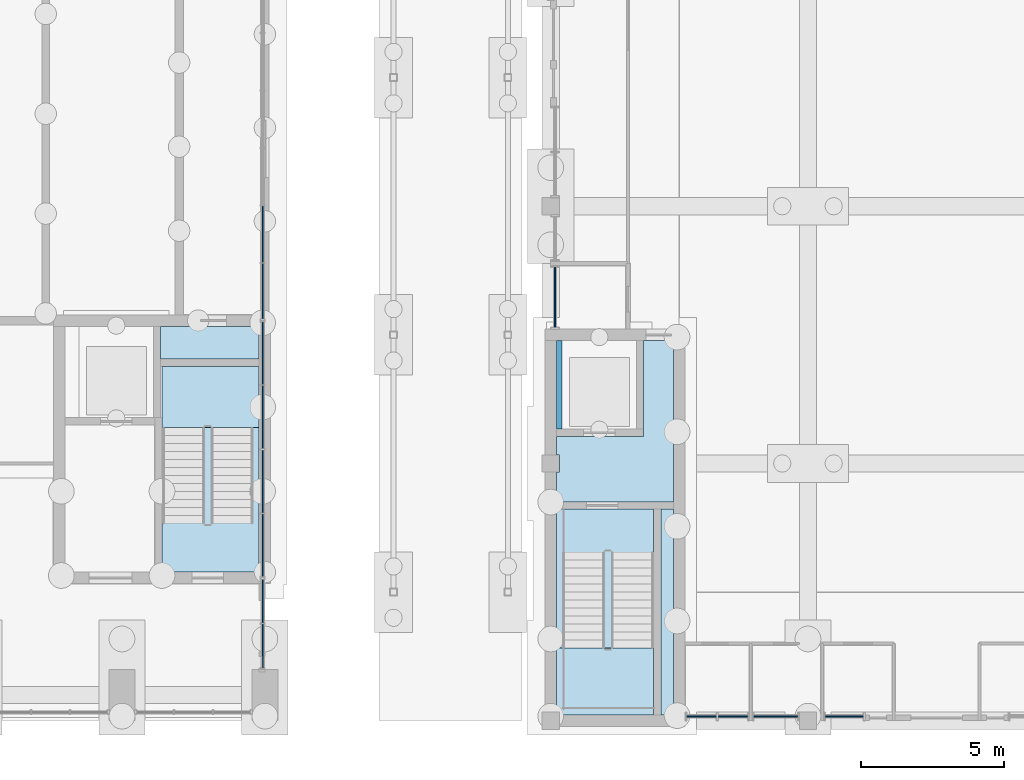
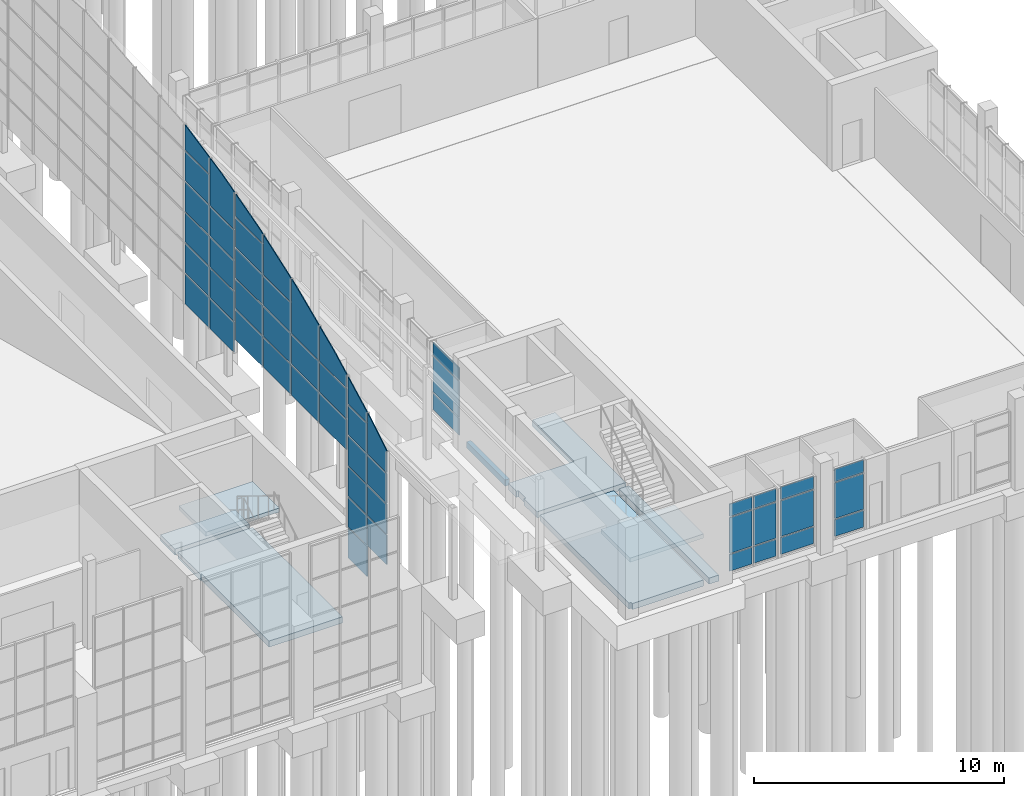
# One storey, part 53 of 106: 51 plates, 8 slabs, 9 elements without a shape of their own.
"""IFC4 building model written with IfcOpenShell, lengths in metres."""

from ifc_helpers import new_model, si_unit, direction, frame, origin, origin_2d, place, context, subcontext, project, spatial, polyline, rectangle, outline, extrude, material, layer, layer_set, type_object, element, aggregate, save


model = new_model("IFC4")

# Units and contexts
model_context = context("Model", 3, precision=1e-05, world=origin(), true_north=direction((0.0, 1.0)))
body_context = subcontext(model_context, "Body", "Model", "MODEL_VIEW")
ifc_project = project(units=[si_unit("LENGTHUNIT", "METRE"), si_unit("AREAUNIT", "SQUARE_METRE"), si_unit("VOLUMEUNIT", "CUBIC_METRE"), si_unit("PLANEANGLEUNIT", "RADIAN"), si_unit("MASSUNIT", "GRAM", prefix="KILO")], contexts=[model_context])

# Site, building, storey
site_placement = place(None, origin())
site = spatial("IfcSite", under=ifc_project, at=site_placement, CompositionType="ELEMENT")
building_placement = place(site_placement, origin())
building = spatial("IfcBuilding", under=site, at=building_placement, Name="Merrow Basin Faculty of Sciences", CompositionType="ELEMENT")
storey_placement = place(building_placement, origin())
storey = spatial("IfcBuildingStorey", under=building, at=storey_placement, Name="L00", CompositionType="ELEMENT", Elevation=0.0)

# Slabs
ifc_material_1 = material(Name="Concrete C40/50", Category="concrete")
ifc_layer_1 = layer(ifc_material_1, 0.300048828125)
ifc_layer_set_1 = layer_set([ifc_layer_1], Name="Ground slab 300 Concrete C40/50")
slab_type_1 = type_object("IfcSlabType", Name="Ground slab 300 Concrete C40/50", PredefinedType="BASESLAB", material=ifc_layer_set_1)
slab_1_placement = place(storey_placement, frame((0.0, 0.0, -0.300048828125)))
element("IfcSlab", 1, at=slab_1_placement, inside=storey, type_object=slab_type_1, Name="SL3 ground L00 005", PredefinedType="BASESLAB", context=body_context, shape_type="SweptSolid", body=[
    extrude(outline(polyline([(34.800048828125, 12.39990234375), (34.800048828125, 5.199951171875), (31.39990234375, 5.199951171875), (31.39990234375, 10.60009765625), (31.35009765625, 10.60009765625), (31.35009765625, 12.39990234375), (34.800048828125, 12.39990234375)])), origin(), (0.0, 0.0, 1.0), 0.300048828125),
])
slab_2_placement = place(storey_placement, frame((0.0, 0.0, -0.300048828125)))
element("IfcSlab", 2, at=slab_2_placement, inside=storey, type_object=slab_type_1, Name="SL3 ground L00 009", PredefinedType="BASESLAB", context=body_context, shape_type="SweptSolid", body=[
    extrude(outline(polyline([(34.800048828125, 13.800048828125), (34.800048828125, 12.64990234375), (31.35009765625, 12.64990234375), (31.35009765625, 13.800048828125), (34.800048828125, 13.800048828125)])), origin(), (0.0, 0.0, 1.0), 0.300048828125),
])
slab_3_placement = place(storey_placement, frame((0.0, 0.0, -0.300048828125)))
element("IfcSlab", 3, at=slab_3_placement, inside=storey, type_object=slab_type_1, Name="SL3 ground L00 003", PredefinedType="BASESLAB", context=body_context, shape_type="SweptSolid", body=[
    extrude(outline(polyline([(45.199951171875, 7.39990234375), (48.60009765625, 7.39990234375), (48.60009765625, 0.199951171875), (45.300048828125, 0.199951171875), (45.300048828125, 0.300048828125), (45.199951171875, 0.300048828125), (45.199951171875, 7.39990234375)])), origin(), (0.0, 0.0, 1.0), 0.300048828125),
])
slab_4_placement = place(storey_placement, frame((0.0, 0.0, -0.300048828125)))
element("IfcSlab", 4, at=slab_4_placement, inside=storey, type_object=slab_type_1, Name="SL3 ground L00 005", PredefinedType="BASESLAB", context=body_context, shape_type="SweptSolid", body=[
    extrude(outline(polyline([(48.25, 13.300048828125), (49.300048828125, 13.300048828125), (49.300048828125, 7.64990234375), (45.199951171875, 7.64990234375), (45.199951171875, 8.699951171875), (45.300048828125, 8.699951171875), (45.300048828125, 9.300048828125), (45.199951171875, 9.300048828125), (45.199951171875, 9.949951171875), (48.25, 9.949951171875), (48.25, 10.199951171875), (48.25, 13.300048828125)])), origin(), (0.0, 0.0, 1.0), 0.300048828125),
])
slab_5_placement = place(storey_placement, frame((0.0, 0.0, -0.300048828125)))
element("IfcSlab", 5, at=slab_5_placement, inside=storey, type_object=slab_type_1, Name="SL3 ground L00 006", PredefinedType="BASESLAB", context=body_context, shape_type="SweptSolid", body=[
    extrude(outline(polyline([(48.85009765625, 7.39990234375), (49.300048828125, 7.39990234375), (49.300048828125, 0.199951171875), (48.85009765625, 0.199951171875), (48.85009765625, 7.39990234375)])), origin(), (0.0, 0.0, 1.0), 0.300048828125),
])
slab_6_placement = place(storey_placement, frame((0.0, 0.0, -0.300048828125)))
element("IfcSlab", 6, at=slab_6_placement, inside=storey, type_object=slab_type_1, Name="SL3 ground L00 009", PredefinedType="BASESLAB", context=body_context, shape_type="SweptSolid", body=[
    extrude(outline(polyline([(45.199951171875, 10.199951171875), (45.199951171875, 13.300048828125), (45.39990234375, 13.300048828125), (45.39990234375, 10.199951171875), (45.199951171875, 10.199951171875)])), origin(), (0.0, 0.0, 1.0), 0.300048828125),
])

# Curtain wall, plate
ifc_material_2 = material(Name="Aluminium alloy 6063", Category="aluminium")
curtain_wall_type_1 = type_object("IfcCurtainWallType", Name="Atrium concourse curtain wall 300", PredefinedType="NOTDEFINED", material=ifc_material_2)
curtain_wall_1_placement = place(storey_placement, origin())
curtain_wall_1 = element("IfcCurtainWall", 7, at=curtain_wall_1_placement, inside=storey, type_object=curtain_wall_type_1, Name="W curtain wall L00 1", PredefinedType="NOTDEFINED")
ifc_material_3 = material(Name="Insulated aluminium spandrel panel", Category="aluminium")
ifc_layer_2 = layer(ifc_material_3, 0.052001953125)
ifc_layer_set_2 = layer_set([ifc_layer_2], Name="Insulated spandrel panel 52")
plate_type_1 = type_object("IfcPlateType", Name="Insulated spandrel panel 52", PredefinedType="CURTAIN_PANEL", material=ifc_layer_set_2)
plate_1_placement = place(storey_placement, frame((45.14990234375, 14.8125, 0.06005859375), z_axis=(0.0, 0.0, 1.0), x_axis=(0.0, 1.0, 0.0)))
plate_1 = element("IfcPlate", 8, at=plate_1_placement, type_object=plate_type_1, Name="CW6 panel 1.1", PredefinedType="CURTAIN_PANEL", context=body_context, shape_type="SweptSolid", body=[
    extrude(rectangle(XDim=2.10498046875, YDim=0.052001953125, at=origin_2d()), origin(), (0.0, 0.0, 1.0), 0.81005859375),
])

# Curtain wall, plates
curtain_wall_2_placement = place(storey_placement, origin())
curtain_wall_2 = element("IfcCurtainWall", 9, at=curtain_wall_2_placement, inside=storey, type_object=curtain_wall_type_1, Name="S curtain wall L00 1", PredefinedType="NOTDEFINED")
plate_2_placement = place(storey_placement, frame((50.277587890625, 0.14990234375, 0.06005859375), z_axis=(0.0, 0.0, 1.0), x_axis=(1.0, 0.0, 0.0)))
plate_2 = element("IfcPlate", 10, at=plate_2_placement, type_object=plate_type_1, Name="CW6 panel 1.1", PredefinedType="CURTAIN_PANEL", context=body_context, shape_type="SweptSolid", body=[
    extrude(rectangle(XDim=1.034912109375, YDim=0.052001953125, at=origin_2d()), origin(), (0.0, 0.0, 1.0), 0.81005859375),
])
plate_3_placement = place(storey_placement, frame((51.37255859375, 0.14990234375, 0.06005859375), z_axis=(0.0, 0.0, 1.0), x_axis=(1.0, 0.0, 0.0)))
plate_3 = element("IfcPlate", 11, at=plate_3_placement, type_object=plate_type_1, Name="CW6 panel 2.1", PredefinedType="CURTAIN_PANEL", context=body_context, shape_type="SweptSolid", body=[
    extrude(rectangle(XDim=1.034912109375, YDim=0.052001953125, at=origin_2d()), origin(), (0.0, 0.0, 1.0), 0.81005859375),
])

# Curtain wall, plate
curtain_wall_3_placement = place(storey_placement, origin())
curtain_wall_3 = element("IfcCurtainWall", 12, at=curtain_wall_3_placement, inside=storey, type_object=curtain_wall_type_1, Name="S curtain wall L00 2", PredefinedType="NOTDEFINED")
plate_4_placement = place(storey_placement, frame((52.875, 0.14990234375, 0.06005859375), z_axis=(0.0, 0.0, 1.0), x_axis=(1.0, 0.0, 0.0)))
plate_4 = element("IfcPlate", 13, at=plate_4_placement, type_object=plate_type_1, Name="CW6 panel 1.1", PredefinedType="CURTAIN_PANEL", context=body_context, shape_type="SweptSolid", body=[
    extrude(rectangle(XDim=1.530029296875, YDim=0.052001953125, at=origin_2d()), origin(), (0.0, 0.0, 1.0), 0.81005859375),
])

curtain_wall_4_placement = place(storey_placement, origin())
curtain_wall_4 = element("IfcCurtainWall", 14, at=curtain_wall_4_placement, inside=storey, type_object=curtain_wall_type_1, Name="S curtain wall L00 3", PredefinedType="NOTDEFINED")
plate_5_placement = place(storey_placement, frame((55.27490234375, 0.14990234375, 0.06005859375), z_axis=(0.0, 0.0, 1.0), x_axis=(1.0, 0.0, 0.0)))
plate_5 = element("IfcPlate", 15, at=plate_5_placement, type_object=plate_type_1, Name="CW6 panel 1.1", PredefinedType="CURTAIN_PANEL", context=body_context, shape_type="SweptSolid", body=[
    extrude(rectangle(XDim=1.330078125, YDim=0.052001953125, at=origin_2d()), origin(), (0.0, 0.0, 1.0), 0.81005859375),
])

# Curtain wall, plates
ifc_material_4 = material(Name="Aluminium alloy 6063", Category="aluminium")
curtain_wall_type_2 = type_object("IfcCurtainWallType", Name="Arched curtain wall 160", PredefinedType="NOTDEFINED", material=ifc_material_4)
curtain_wall_5_placement = place(storey_placement, origin())
curtain_wall_5 = element("IfcCurtainWall", 16, at=curtain_wall_5_placement, inside=storey, type_object=curtain_wall_type_2, Name="East gable glazing A", PredefinedType="NOTDEFINED")
ifc_material_5 = material(Name="Laminated safety glass", Category="glass")
ifc_layer_3 = layer(ifc_material_5, 0.0400390625)
ifc_layer_set_3 = layer_set([ifc_layer_3], Name="Laminated overhead glazing panel 40")
plate_type_2 = type_object("IfcPlateType", Name="Laminated overhead glazing panel 40", PredefinedType="CURTAIN_PANEL", material=ifc_layer_set_3)
plate_6_placement = place(storey_placement, frame((34.89990234375, 1.860107421875, 4.530029296875), z_axis=(1.0, 0.0, 0.0), x_axis=(0.0, 1.0, 0.0)))
plate_6 = element("IfcPlate", 17, at=plate_6_placement, type_object=plate_type_2, Name="CW4 panel 1.2", PredefinedType="CURTAIN_PANEL", context=body_context, shape_type="SweptSolid", body=[
    extrude(outline(polyline([(0.0, 0.0), (1.510009765625, 0.0), (1.510009765625, 1.43994140625), (0.0, 1.43994140625), (0.0, 0.0)])), origin(), (0.0, 0.0, 1.0), 0.0400390625),
])
plate_7_placement = place(storey_placement, frame((34.89990234375, 1.860107421875, 6.030029296875), z_axis=(1.0, 0.0, 0.0), x_axis=(0.0, 1.0, 0.0)))
plate_7 = element("IfcPlate", 18, at=plate_7_placement, type_object=plate_type_2, Name="CW4 panel 1.3", PredefinedType="CURTAIN_PANEL", context=body_context, shape_type="SweptSolid", body=[
    extrude(outline(polyline([(0.0, 0.0), (1.510009765625, 0.0), (1.510009765625, 1.43994140625), (0.0, 1.43994140625), (0.0, 0.0)])), origin(), (0.0, 0.0, 1.0), 0.0400390625),
])
plate_8_placement = place(storey_placement, frame((34.89990234375, 1.860107421875, 7.530029296875), z_axis=(1.0, 0.0, 0.0), x_axis=(0.0, 1.0, 0.0)))
plate_8 = element("IfcPlate", 19, at=plate_8_placement, type_object=plate_type_2, Name="CW4 panel 1.4", PredefinedType="CURTAIN_PANEL", context=body_context, shape_type="SweptSolid", body=[
    extrude(outline(polyline([(0.0, 0.0), (1.510009765625, 0.0), (1.510009765625, 1.43994140625), (0.0, 1.43994140625), (0.0, 0.0)])), origin(), (0.0, 0.0, 1.0), 0.0400390625),
])
plate_9_placement = place(storey_placement, frame((34.89990234375, 1.860107421875, 9.030029296875), z_axis=(1.0, 0.0, 0.0), x_axis=(0.0, 1.0, 0.0)))
plate_9 = element("IfcPlate", 20, at=plate_9_placement, type_object=plate_type_2, Name="CW4 panel 1.top", PredefinedType="CURTAIN_PANEL", context=body_context, shape_type="SweptSolid", body=[
    extrude(outline(polyline([(0.0, 0.0), (1.510009765625, 0.0), (1.510009765625, 1.989013671875), (1.215087890625, 1.833984375), (0.0, 1.077880859375), (0.0, 0.0)])), origin(), (0.0, 0.0, 1.0), 0.0400390625),
])
plate_10_placement = place(storey_placement, frame((34.89990234375, 3.429931640625, 3.0), z_axis=(1.0, 0.0, 0.0), x_axis=(0.0, 1.0, 0.0)))
plate_10 = element("IfcPlate", 21, at=plate_10_placement, type_object=plate_type_2, Name="CW4 panel 2.1", PredefinedType="CURTAIN_PANEL", context=body_context, shape_type="SweptSolid", body=[
    extrude(outline(polyline([(0.0, 0.0), (1.510009765625, 0.0), (1.510009765625, 1.469970703125), (0.0, 1.469970703125), (0.0, 0.0)])), origin(), (0.0, 0.0, 1.0), 0.0400390625),
])
plate_11_placement = place(storey_placement, frame((34.89990234375, 3.429931640625, 4.530029296875), z_axis=(1.0, 0.0, 0.0), x_axis=(0.0, 1.0, 0.0)))
plate_11 = element("IfcPlate", 22, at=plate_11_placement, type_object=plate_type_2, Name="CW4 panel 2.2", PredefinedType="CURTAIN_PANEL", context=body_context, shape_type="SweptSolid", body=[
    extrude(outline(polyline([(0.0, 0.0), (1.510009765625, 0.0), (1.510009765625, 1.43994140625), (0.0, 1.43994140625), (0.0, 0.0)])), origin(), (0.0, 0.0, 1.0), 0.0400390625),
])
plate_12_placement = place(storey_placement, frame((34.89990234375, 3.429931640625, 6.030029296875), z_axis=(1.0, 0.0, 0.0), x_axis=(0.0, 1.0, 0.0)))
plate_12 = element("IfcPlate", 23, at=plate_12_placement, type_object=plate_type_2, Name="CW4 panel 2.3", PredefinedType="CURTAIN_PANEL", context=body_context, shape_type="SweptSolid", body=[
    extrude(outline(polyline([(0.0, 0.0), (1.510009765625, 0.0), (1.510009765625, 1.43994140625), (0.0, 1.43994140625), (0.0, 0.0)])), origin(), (0.0, 0.0, 1.0), 0.0400390625),
])
plate_13_placement = place(storey_placement, frame((34.89990234375, 3.429931640625, 7.530029296875), z_axis=(1.0, 0.0, 0.0), x_axis=(0.0, 1.0, 0.0)))
plate_13 = element("IfcPlate", 24, at=plate_13_placement, type_object=plate_type_2, Name="CW4 panel 2.4", PredefinedType="CURTAIN_PANEL", context=body_context, shape_type="SweptSolid", body=[
    extrude(outline(polyline([(0.0, 0.0), (1.510009765625, 0.0), (1.510009765625, 1.43994140625), (0.0, 1.43994140625), (0.0, 0.0)])), origin(), (0.0, 0.0, 1.0), 0.0400390625),
])
plate_14_placement = place(storey_placement, frame((34.89990234375, 3.429931640625, 9.030029296875), z_axis=(1.0, 0.0, 0.0), x_axis=(0.0, 1.0, 0.0)))
plate_14 = element("IfcPlate", 25, at=plate_14_placement, type_object=plate_type_2, Name="CW4 panel 2.5", PredefinedType="CURTAIN_PANEL", context=body_context, shape_type="SweptSolid", body=[
    extrude(outline(polyline([(0.0, 0.0), (1.510009765625, 0.0), (1.510009765625, 1.43994140625), (0.0, 1.43994140625), (0.0, 0.0)])), origin(), (0.0, 0.0, 1.0), 0.0400390625),
])
plate_15_placement = place(storey_placement, frame((34.89990234375, 3.429931640625, 10.530029296875), z_axis=(1.0, 0.0, 0.0), x_axis=(0.0, 1.0, 0.0)))
plate_15 = element("IfcPlate", 26, at=plate_15_placement, type_object=plate_type_2, Name="CW4 panel 2.top", PredefinedType="CURTAIN_PANEL", context=body_context, shape_type="SweptSolid", body=[
    extrude(outline(polyline([(0.0, 0.0), (1.510009765625, 0.0), (1.510009765625, 1.31005859375), (0.0, 0.52001953125), (0.0, 0.0)])), origin(), (0.0, 0.0, 1.0), 0.0400390625),
])
aggregate(curtain_wall_5, [plate_6, plate_7, plate_8, plate_9, plate_10, plate_11, plate_12, plate_13, plate_14, plate_15])

curtain_wall_6_placement = place(storey_placement, origin())
curtain_wall_6 = element("IfcCurtainWall", 27, at=curtain_wall_6_placement, inside=storey, type_object=curtain_wall_type_2, Name="East gable glazing B", PredefinedType="NOTDEFINED")
plate_16_placement = place(storey_placement, frame((34.89990234375, 5.06005859375, 8.199951171875), z_axis=(1.0, 0.0, 0.0), x_axis=(0.0, 1.0, 0.0)))
plate_16 = element("IfcPlate", 28, at=plate_16_placement, type_object=plate_type_2, Name="CW4 panel 1.1", PredefinedType="CURTAIN_PANEL", context=body_context, shape_type="SweptSolid", body=[
    extrude(outline(polyline([(0.0, 0.0), (2.159912109375, 0.0), (2.159912109375, 1.469970703125), (0.0, 1.469970703125), (0.0, 0.0)])), origin(), (0.0, 0.0, 1.0), 0.0400390625),
])
plate_17_placement = place(storey_placement, frame((34.89990234375, 5.06005859375, 9.72998046875), z_axis=(1.0, 0.0, 0.0), x_axis=(0.0, 1.0, 0.0)))
plate_17 = element("IfcPlate", 29, at=plate_17_placement, type_object=plate_type_2, Name="CW4 panel 1.2", PredefinedType="CURTAIN_PANEL", context=body_context, shape_type="SweptSolid", body=[
    extrude(outline(polyline([(0.0, 0.0), (2.159912109375, 0.0), (2.159912109375, 1.43994140625), (0.0, 1.43994140625), (0.0, 0.0)])), origin(), (0.0, 0.0, 1.0), 0.0400390625),
])
plate_18_placement = place(storey_placement, frame((34.89990234375, 5.06005859375, 11.22998046875), z_axis=(1.0, 0.0, 0.0), x_axis=(0.0, 1.0, 0.0)))
plate_18 = element("IfcPlate", 30, at=plate_18_placement, type_object=plate_type_2, Name="CW4 panel 1.top", PredefinedType="CURTAIN_PANEL", context=body_context, shape_type="SweptSolid", body=[
    extrude(outline(polyline([(0.0, 0.0), (2.159912109375, 0.0), (2.159912109375, 1.701904296875), (1.0048828125, 1.198974609375), (0.0, 0.673095703125), (0.0, 0.0)])), origin(), (0.0, 0.0, 1.0), 0.0400390625),
])
plate_19_placement = place(storey_placement, frame((34.89990234375, 7.280029296875, 8.199951171875), z_axis=(1.0, 0.0, 0.0), x_axis=(0.0, 1.0, 0.0)))
plate_19 = element("IfcPlate", 31, at=plate_19_placement, type_object=plate_type_2, Name="CW4 panel 2.1", PredefinedType="CURTAIN_PANEL", context=body_context, shape_type="SweptSolid", body=[
    extrude(outline(polyline([(0.0, 0.0), (2.18994140625, 0.0), (2.18994140625, 1.469970703125), (0.0, 1.469970703125), (0.0, 0.0)])), origin(), (0.0, 0.0, 1.0), 0.0400390625),
])
plate_20_placement = place(storey_placement, frame((34.89990234375, 7.280029296875, 9.72998046875), z_axis=(1.0, 0.0, 0.0), x_axis=(0.0, 1.0, 0.0)))
plate_20 = element("IfcPlate", 32, at=plate_20_placement, type_object=plate_type_2, Name="CW4 panel 2.2", PredefinedType="CURTAIN_PANEL", context=body_context, shape_type="SweptSolid", body=[
    extrude(outline(polyline([(0.0, 0.0), (2.18994140625, 0.0), (2.18994140625, 1.43994140625), (0.0, 1.43994140625), (0.0, 0.0)])), origin(), (0.0, 0.0, 1.0), 0.0400390625),
])
plate_21_placement = place(storey_placement, frame((34.89990234375, 7.280029296875, 11.22998046875), z_axis=(1.0, 0.0, 0.0), x_axis=(0.0, 1.0, 0.0)))
plate_21 = element("IfcPlate", 33, at=plate_21_placement, type_object=plate_type_2, Name="CW4 panel 2.top", PredefinedType="CURTAIN_PANEL", context=body_context, shape_type="SweptSolid", body=[
    extrude(outline(polyline([(0.0, 0.0), (2.18994140625, 0.0), (2.18994140625, 2.64697265625), (1.77490234375, 2.5), (0.0, 1.72802734375), (0.0, 0.0)])), origin(), (0.0, 0.0, 1.0), 0.0400390625),
])
plate_22_placement = place(storey_placement, frame((34.89990234375, 9.530029296875, 8.199951171875), z_axis=(1.0, 0.0, 0.0), x_axis=(0.0, 1.0, 0.0)))
plate_22 = element("IfcPlate", 34, at=plate_22_placement, type_object=plate_type_2, Name="CW4 panel 3.1", PredefinedType="CURTAIN_PANEL", context=body_context, shape_type="SweptSolid", body=[
    extrude(outline(polyline([(0.0, 0.0), (2.18994140625, 0.0), (2.18994140625, 1.469970703125), (0.0, 1.469970703125), (0.0, 0.0)])), origin(), (0.0, 0.0, 1.0), 0.0400390625),
])
plate_23_placement = place(storey_placement, frame((34.89990234375, 9.530029296875, 9.72998046875), z_axis=(1.0, 0.0, 0.0), x_axis=(0.0, 1.0, 0.0)))
plate_23 = element("IfcPlate", 35, at=plate_23_placement, type_object=plate_type_2, Name="CW4 panel 3.2", PredefinedType="CURTAIN_PANEL", context=body_context, shape_type="SweptSolid", body=[
    extrude(outline(polyline([(0.0, 0.0), (2.18994140625, 0.0), (2.18994140625, 1.43994140625), (0.0, 1.43994140625), (0.0, 0.0)])), origin(), (0.0, 0.0, 1.0), 0.0400390625),
])
plate_24_placement = place(storey_placement, frame((34.89990234375, 9.530029296875, 11.22998046875), z_axis=(1.0, 0.0, 0.0), x_axis=(0.0, 1.0, 0.0)))
plate_24 = element("IfcPlate", 36, at=plate_24_placement, type_object=plate_type_2, Name="CW4 panel 3.3", PredefinedType="CURTAIN_PANEL", context=body_context, shape_type="SweptSolid", body=[
    extrude(outline(polyline([(0.0, 0.0), (2.18994140625, 0.0), (2.18994140625, 1.43994140625), (0.0, 1.43994140625), (0.0, 0.0)])), origin(), (0.0, 0.0, 1.0), 0.0400390625),
])
plate_25_placement = place(storey_placement, frame((34.89990234375, 9.530029296875, 12.72998046875), z_axis=(1.0, 0.0, 0.0), x_axis=(0.0, 1.0, 0.0)))
plate_25 = element("IfcPlate", 37, at=plate_25_placement, type_object=plate_type_2, Name="CW4 panel 3.top", PredefinedType="CURTAIN_PANEL", context=body_context, shape_type="SweptSolid", body=[
    extrude(outline(polyline([(0.0, 0.0), (2.18994140625, 0.0), (2.18994140625, 1.945068359375), (0.0, 1.1689453125), (0.0, 0.0)])), origin(), (0.0, 0.0, 1.0), 0.0400390625),
])
plate_26_placement = place(storey_placement, frame((34.89990234375, 11.780029296875, 8.199951171875), z_axis=(1.0, 0.0, 0.0), x_axis=(0.0, 1.0, 0.0)))
plate_26 = element("IfcPlate", 38, at=plate_26_placement, type_object=plate_type_2, Name="CW4 panel 4.1", PredefinedType="CURTAIN_PANEL", context=body_context, shape_type="SweptSolid", body=[
    extrude(outline(polyline([(0.0, 0.0), (2.159912109375, 0.0), (2.159912109375, 1.469970703125), (0.0, 1.469970703125), (0.0, 0.0)])), origin(), (0.0, 0.0, 1.0), 0.0400390625),
])
plate_27_placement = place(storey_placement, frame((34.89990234375, 11.780029296875, 9.72998046875), z_axis=(1.0, 0.0, 0.0), x_axis=(0.0, 1.0, 0.0)))
plate_27 = element("IfcPlate", 39, at=plate_27_placement, type_object=plate_type_2, Name="CW4 panel 4.2", PredefinedType="CURTAIN_PANEL", context=body_context, shape_type="SweptSolid", body=[
    extrude(outline(polyline([(0.0, 0.0), (2.159912109375, 0.0), (2.159912109375, 1.43994140625), (0.0, 1.43994140625), (0.0, 0.0)])), origin(), (0.0, 0.0, 1.0), 0.0400390625),
])
plate_28_placement = place(storey_placement, frame((34.89990234375, 11.780029296875, 11.22998046875), z_axis=(1.0, 0.0, 0.0), x_axis=(0.0, 1.0, 0.0)))
plate_28 = element("IfcPlate", 40, at=plate_28_placement, type_object=plate_type_2, Name="CW4 panel 4.3", PredefinedType="CURTAIN_PANEL", context=body_context, shape_type="SweptSolid", body=[
    extrude(outline(polyline([(0.0, 0.0), (2.159912109375, 0.0), (2.159912109375, 1.43994140625), (0.0, 1.43994140625), (0.0, 0.0)])), origin(), (0.0, 0.0, 1.0), 0.0400390625),
])
plate_29_placement = place(storey_placement, frame((34.89990234375, 11.780029296875, 12.72998046875), z_axis=(1.0, 0.0, 0.0), x_axis=(0.0, 1.0, 0.0)))
plate_29 = element("IfcPlate", 41, at=plate_29_placement, type_object=plate_type_2, Name="CW4 panel 4.4", PredefinedType="CURTAIN_PANEL", context=body_context, shape_type="SweptSolid", body=[
    extrude(outline(polyline([(0.0, 0.0), (2.159912109375, 0.0), (2.159912109375, 1.43994140625), (0.0, 1.43994140625), (0.0, 0.0)])), origin(), (0.0, 0.0, 1.0), 0.0400390625),
])
plate_30_placement = place(storey_placement, frame((34.89990234375, 11.780029296875, 14.22998046875), z_axis=(1.0, 0.0, 0.0), x_axis=(0.0, 1.0, 0.0)))
plate_30 = element("IfcPlate", 42, at=plate_30_placement, type_object=plate_type_2, Name="CW4 panel 4.top", PredefinedType="CURTAIN_PANEL", context=body_context, shape_type="SweptSolid", body=[
    extrude(outline(polyline([(0.0, 0.0), (2.159912109375, 0.0), (2.159912109375, 1.091064453125), (0.264892578125, 0.56103515625), (0.0, 0.466064453125), (0.0, 0.0)])), origin(), (0.0, 0.0, 1.0), 0.0400390625),
])
aggregate(curtain_wall_6, [plate_16, plate_17, plate_18, plate_19, plate_20, plate_21, plate_22, plate_23, plate_24, plate_25, plate_26, plate_27, plate_28, plate_29, plate_30])

curtain_wall_7_placement = place(storey_placement, origin())
curtain_wall_7 = element("IfcCurtainWall", 43, at=curtain_wall_7_placement, inside=storey, type_object=curtain_wall_type_2, Name="East gable glazing C", PredefinedType="NOTDEFINED")
plate_31_placement = place(storey_placement, frame((34.89990234375, 14.06005859375, 7.5), z_axis=(1.0, 0.0, 0.0), x_axis=(0.0, 1.0, 0.0)))
plate_31 = element("IfcPlate", 44, at=plate_31_placement, type_object=plate_type_2, Name="CW4 panel 1.1", PredefinedType="CURTAIN_PANEL", context=body_context, shape_type="SweptSolid", body=[
    extrude(outline(polyline([(0.0, 0.0), (1.919921875, 0.0), (1.919921875, 1.469970703125), (0.0, 1.469970703125), (0.0, 0.0)])), origin(), (0.0, 0.0, 1.0), 0.0400390625),
])
plate_32_placement = place(storey_placement, frame((34.89990234375, 14.06005859375, 9.030029296875), z_axis=(1.0, 0.0, 0.0), x_axis=(0.0, 1.0, 0.0)))
plate_32 = element("IfcPlate", 45, at=plate_32_placement, type_object=plate_type_2, Name="CW4 panel 1.2", PredefinedType="CURTAIN_PANEL", context=body_context, shape_type="SweptSolid", body=[
    extrude(outline(polyline([(0.0, 0.0), (1.919921875, 0.0), (1.919921875, 1.43994140625), (0.0, 1.43994140625), (0.0, 0.0)])), origin(), (0.0, 0.0, 1.0), 0.0400390625),
])
plate_33_placement = place(storey_placement, frame((34.89990234375, 14.06005859375, 10.530029296875), z_axis=(1.0, 0.0, 0.0), x_axis=(0.0, 1.0, 0.0)))
plate_33 = element("IfcPlate", 46, at=plate_33_placement, type_object=plate_type_2, Name="CW4 panel 1.3", PredefinedType="CURTAIN_PANEL", context=body_context, shape_type="SweptSolid", body=[
    extrude(outline(polyline([(0.0, 0.0), (1.919921875, 0.0), (1.919921875, 1.43994140625), (0.0, 1.43994140625), (0.0, 0.0)])), origin(), (0.0, 0.0, 1.0), 0.0400390625),
])
plate_34_placement = place(storey_placement, frame((34.89990234375, 14.06005859375, 12.030029296875), z_axis=(1.0, 0.0, 0.0), x_axis=(0.0, 1.0, 0.0)))
plate_34 = element("IfcPlate", 47, at=plate_34_placement, type_object=plate_type_2, Name="CW4 panel 1.4", PredefinedType="CURTAIN_PANEL", context=body_context, shape_type="SweptSolid", body=[
    extrude(outline(polyline([(0.0, 0.0), (1.919921875, 0.0), (1.919921875, 1.43994140625), (0.0, 1.43994140625), (0.0, 0.0)])), origin(), (0.0, 0.0, 1.0), 0.0400390625),
])
plate_35_placement = place(storey_placement, frame((34.89990234375, 14.06005859375, 13.530029296875), z_axis=(1.0, 0.0, 0.0), x_axis=(0.0, 1.0, 0.0)))
plate_35 = element("IfcPlate", 48, at=plate_35_placement, type_object=plate_type_2, Name="CW4 panel 1.top", PredefinedType="CURTAIN_PANEL", context=body_context, shape_type="SweptSolid", body=[
    extrude(outline(polyline([(0.0, 0.0), (1.9208984375, 0.0), (1.9208984375, 2.294921875), (0.97607421875, 2.097900390625), (0.0, 1.823974609375), (0.0, 0.0)])), origin(), (0.0, 0.0, 1.0), 0.0400390625),
])
plate_36_placement = place(storey_placement, frame((34.89990234375, 16.041015625, 7.5), z_axis=(1.0, 0.0, 0.0), x_axis=(0.0, 1.0, 0.0)))
plate_36 = element("IfcPlate", 49, at=plate_36_placement, type_object=plate_type_2, Name="CW4 panel 2.1", PredefinedType="CURTAIN_PANEL", context=body_context, shape_type="SweptSolid", body=[
    extrude(outline(polyline([(0.0, 0.0), (1.949951171875, 0.0), (1.949951171875, 1.469970703125), (0.0, 1.469970703125), (0.0, 0.0)])), origin(), (0.0, 0.0, 1.0), 0.0400390625),
])
plate_37_placement = place(storey_placement, frame((34.89990234375, 16.041015625, 9.030029296875), z_axis=(1.0, 0.0, 0.0), x_axis=(0.0, 1.0, 0.0)))
plate_37 = element("IfcPlate", 50, at=plate_37_placement, type_object=plate_type_2, Name="CW4 panel 2.2", PredefinedType="CURTAIN_PANEL", context=body_context, shape_type="SweptSolid", body=[
    extrude(outline(polyline([(0.0, 0.0), (1.949951171875, 0.0), (1.949951171875, 1.43994140625), (0.0, 1.43994140625), (0.0, 0.0)])), origin(), (0.0, 0.0, 1.0), 0.0400390625),
])
plate_38_placement = place(storey_placement, frame((34.89990234375, 16.041015625, 10.530029296875), z_axis=(1.0, 0.0, 0.0), x_axis=(0.0, 1.0, 0.0)))
plate_38 = element("IfcPlate", 51, at=plate_38_placement, type_object=plate_type_2, Name="CW4 panel 2.3", PredefinedType="CURTAIN_PANEL", context=body_context, shape_type="SweptSolid", body=[
    extrude(outline(polyline([(0.0, 0.0), (1.949951171875, 0.0), (1.949951171875, 1.43994140625), (0.0, 1.43994140625), (0.0, 0.0)])), origin(), (0.0, 0.0, 1.0), 0.0400390625),
])
plate_39_placement = place(storey_placement, frame((34.89990234375, 16.041015625, 12.030029296875), z_axis=(1.0, 0.0, 0.0), x_axis=(0.0, 1.0, 0.0)))
plate_39 = element("IfcPlate", 52, at=plate_39_placement, type_object=plate_type_2, Name="CW4 panel 2.4", PredefinedType="CURTAIN_PANEL", context=body_context, shape_type="SweptSolid", body=[
    extrude(outline(polyline([(0.0, 0.0), (1.949951171875, 0.0), (1.949951171875, 1.43994140625), (0.0, 1.43994140625), (0.0, 0.0)])), origin(), (0.0, 0.0, 1.0), 0.0400390625),
])
plate_40_placement = place(storey_placement, frame((34.89990234375, 16.041015625, 13.530029296875), z_axis=(1.0, 0.0, 0.0), x_axis=(0.0, 1.0, 0.0)))
plate_40 = element("IfcPlate", 53, at=plate_40_placement, type_object=plate_type_2, Name="CW4 panel 2.5", PredefinedType="CURTAIN_PANEL", context=body_context, shape_type="SweptSolid", body=[
    extrude(outline(polyline([(0.0, 0.0), (1.949951171875, 0.0), (1.949951171875, 1.43994140625), (0.0, 1.43994140625), (0.0, 0.0)])), origin(), (0.0, 0.0, 1.0), 0.0400390625),
])
plate_41_placement = place(storey_placement, frame((34.89990234375, 16.041015625, 15.030029296875), z_axis=(1.0, 0.0, 0.0), x_axis=(0.0, 1.0, 0.0)))
plate_41 = element("IfcPlate", 54, at=plate_41_placement, type_object=plate_type_2, Name="CW4 panel 2.top", PredefinedType="CURTAIN_PANEL", context=body_context, shape_type="SweptSolid", body=[
    extrude(outline(polyline([(0.0, 0.0), (1.950927734375, 0.0), (1.950927734375, 1.216064453125), (0.0, 0.80810546875), (0.0, 0.0)])), origin(), (0.0, 0.0, 1.0), 0.0400390625),
])
aggregate(curtain_wall_7, [plate_31, plate_32, plate_33, plate_34, plate_35, plate_36, plate_37, plate_38, plate_39, plate_40, plate_41])

# Stair, slab
ifc_material_6 = material(Name="Concrete C40/50", Category="concrete")
stair_type = type_object("IfcStairType", Name="Concrete dog-leg stair Concrete C40/50", PredefinedType="HALF_TURN_STAIR", material=ifc_material_6)
stair_1_placement = place(storey_placement, origin())
stair_1 = element("IfcStair", 55, at=stair_1_placement, inside=storey, type_object=stair_type, Name="L00 Exit stair E", PredefinedType="HALF_TURN_STAIR")
ifc_material_7 = material(Name="Concrete C40/50", Category="concrete")
ifc_layer_4 = layer(ifc_material_7, 0.199951171875)
ifc_layer_set_4 = layer_set([ifc_layer_4], Name="Stair landing 200 Concrete C40/50")
slab_type_2 = type_object("IfcSlabType", Name="Stair landing 200 Concrete C40/50", PredefinedType="LANDING", material=ifc_layer_set_4)
slab_7_placement = place(storey_placement, frame((0.0, 0.0, 2.050048828125)))
slab_7 = element("IfcSlab", 56, at=slab_7_placement, type_object=slab_type_2, Name="ST-V1-E landing 1", PredefinedType="LANDING", context=body_context, shape_type="SweptSolid", body=[
    extrude(outline(polyline([(31.39990234375, 10.260009765625), (34.800048828125, 10.260009765625), (34.800048828125, 12.39990234375), (31.39990234375, 12.39990234375), (31.39990234375, 10.260009765625)])), origin(), (0.0, 0.0, 1.0), 0.199951171875),
])
aggregate(stair_1, [slab_7])

stair_2_placement = place(storey_placement, origin())
stair_2 = element("IfcStair", 57, at=stair_2_placement, inside=storey, type_object=stair_type, Name="L00 Exit stair W", PredefinedType="HALF_TURN_STAIR")
slab_8_placement = place(storey_placement, frame((0.0, 0.0, 2.050048828125)))
slab_8 = element("IfcSlab", 58, at=slab_8_placement, type_object=slab_type_2, Name="ST-V3-W landing 1", PredefinedType="LANDING", context=body_context, shape_type="SweptSolid", body=[
    extrude(outline(polyline([(45.199951171875, 0.199951171875), (48.60009765625, 0.199951171875), (48.60009765625, 2.5400390625), (45.199951171875, 2.5400390625), (45.199951171875, 0.199951171875)])), origin(), (0.0, 0.0, 1.0), 0.199951171875),
])
aggregate(stair_2, [slab_8])

# Plate
ifc_material_8 = material(Name="Low-E triple glazing", Category="glass")
ifc_layer_5 = layer(ifc_material_8, 0.0439453125)
ifc_layer_set_5 = layer_set([ifc_layer_5], Name="Triple glazed panel 44")
plate_type_3 = type_object("IfcPlateType", Name="Triple glazed panel 44", PredefinedType="CURTAIN_PANEL", material=ifc_layer_set_5)
plate_42_placement = place(storey_placement, frame((45.14990234375, 14.8125, 0.93017578125), z_axis=(0.0, 0.0, 1.0), x_axis=(0.0, 1.0, 0.0)))
plate_42 = element("IfcPlate", 59, at=plate_42_placement, type_object=plate_type_3, Name="CW6 panel 1.2", PredefinedType="CURTAIN_PANEL", context=body_context, shape_type="SweptSolid", body=[
    extrude(rectangle(XDim=2.10498046875, YDim=0.0439453125, at=origin_2d()), origin(), (0.0, 0.0, 1.0), 1.739990234375),
])

plate_43_placement = place(storey_placement, frame((45.14990234375, 14.8125, 2.72998046875), z_axis=(0.0, 0.0, 1.0), x_axis=(0.0, 1.0, 0.0)))
plate_43 = element("IfcPlate", 60, at=plate_43_placement, type_object=plate_type_3, Name="CW6 panel 1.3", PredefinedType="CURTAIN_PANEL", context=body_context, shape_type="SweptSolid", body=[
    extrude(rectangle(XDim=2.10498046875, YDim=0.0439453125, at=origin_2d()), origin(), (0.0, 0.0, 1.0), 0.610107421875),
])

aggregate(curtain_wall_1, [plate_1, plate_42, plate_43])

plate_44_placement = place(storey_placement, frame((50.277587890625, 0.14990234375, 0.93017578125), z_axis=(0.0, 0.0, 1.0), x_axis=(1.0, 0.0, 0.0)))
plate_44 = element("IfcPlate", 61, at=plate_44_placement, type_object=plate_type_3, Name="CW6 panel 1.2", PredefinedType="CURTAIN_PANEL", context=body_context, shape_type="SweptSolid", body=[
    extrude(rectangle(XDim=1.034912109375, YDim=0.0439453125, at=origin_2d()), origin(), (0.0, 0.0, 1.0), 1.739990234375),
])

plate_45_placement = place(storey_placement, frame((50.277587890625, 0.14990234375, 2.72998046875), z_axis=(0.0, 0.0, 1.0), x_axis=(1.0, 0.0, 0.0)))
plate_45 = element("IfcPlate", 62, at=plate_45_placement, type_object=plate_type_3, Name="CW6 panel 1.3", PredefinedType="CURTAIN_PANEL", context=body_context, shape_type="SweptSolid", body=[
    extrude(rectangle(XDim=1.034912109375, YDim=0.0439453125, at=origin_2d()), origin(), (0.0, 0.0, 1.0), 0.610107421875),
])

plate_46_placement = place(storey_placement, frame((51.37255859375, 0.14990234375, 0.93017578125), z_axis=(0.0, 0.0, 1.0), x_axis=(1.0, 0.0, 0.0)))
plate_46 = element("IfcPlate", 63, at=plate_46_placement, type_object=plate_type_3, Name="CW6 panel 2.2", PredefinedType="CURTAIN_PANEL", context=body_context, shape_type="SweptSolid", body=[
    extrude(rectangle(XDim=1.034912109375, YDim=0.0439453125, at=origin_2d()), origin(), (0.0, 0.0, 1.0), 1.739990234375),
])

plate_47_placement = place(storey_placement, frame((51.37255859375, 0.14990234375, 2.72998046875), z_axis=(0.0, 0.0, 1.0), x_axis=(1.0, 0.0, 0.0)))
plate_47 = element("IfcPlate", 64, at=plate_47_placement, type_object=plate_type_3, Name="CW6 panel 2.3", PredefinedType="CURTAIN_PANEL", context=body_context, shape_type="SweptSolid", body=[
    extrude(rectangle(XDim=1.034912109375, YDim=0.0439453125, at=origin_2d()), origin(), (0.0, 0.0, 1.0), 0.610107421875),
])

aggregate(curtain_wall_2, [plate_2, plate_44, plate_45, plate_3, plate_46, plate_47])

plate_48_placement = place(storey_placement, frame((52.875, 0.14990234375, 0.93017578125), z_axis=(0.0, 0.0, 1.0), x_axis=(1.0, 0.0, 0.0)))
plate_48 = element("IfcPlate", 65, at=plate_48_placement, type_object=plate_type_3, Name="CW6 panel 1.2", PredefinedType="CURTAIN_PANEL", context=body_context, shape_type="SweptSolid", body=[
    extrude(rectangle(XDim=1.530029296875, YDim=0.0439453125, at=origin_2d()), origin(), (0.0, 0.0, 1.0), 1.739990234375),
])

plate_49_placement = place(storey_placement, frame((52.875, 0.14990234375, 2.72998046875), z_axis=(0.0, 0.0, 1.0), x_axis=(1.0, 0.0, 0.0)))
plate_49 = element("IfcPlate", 66, at=plate_49_placement, type_object=plate_type_3, Name="CW6 panel 1.3", PredefinedType="CURTAIN_PANEL", context=body_context, shape_type="SweptSolid", body=[
    extrude(rectangle(XDim=1.530029296875, YDim=0.0439453125, at=origin_2d()), origin(), (0.0, 0.0, 1.0), 0.610107421875),
])

aggregate(curtain_wall_3, [plate_4, plate_48, plate_49])

plate_50_placement = place(storey_placement, frame((55.27490234375, 0.14990234375, 0.93017578125), z_axis=(0.0, 0.0, 1.0), x_axis=(1.0, 0.0, 0.0)))
plate_50 = element("IfcPlate", 67, at=plate_50_placement, type_object=plate_type_3, Name="CW6 panel 1.2", PredefinedType="CURTAIN_PANEL", context=body_context, shape_type="SweptSolid", body=[
    extrude(rectangle(XDim=1.330078125, YDim=0.0439453125, at=origin_2d()), origin(), (0.0, 0.0, 1.0), 1.739990234375),
])

plate_51_placement = place(storey_placement, frame((55.27490234375, 0.14990234375, 2.72998046875), z_axis=(0.0, 0.0, 1.0), x_axis=(1.0, 0.0, 0.0)))
plate_51 = element("IfcPlate", 68, at=plate_51_placement, type_object=plate_type_3, Name="CW6 panel 1.3", PredefinedType="CURTAIN_PANEL", context=body_context, shape_type="SweptSolid", body=[
    extrude(rectangle(XDim=1.330078125, YDim=0.0439453125, at=origin_2d()), origin(), (0.0, 0.0, 1.0), 0.610107421875),
])

aggregate(curtain_wall_4, [plate_5, plate_50, plate_51])

save(model, "model.ifc")
